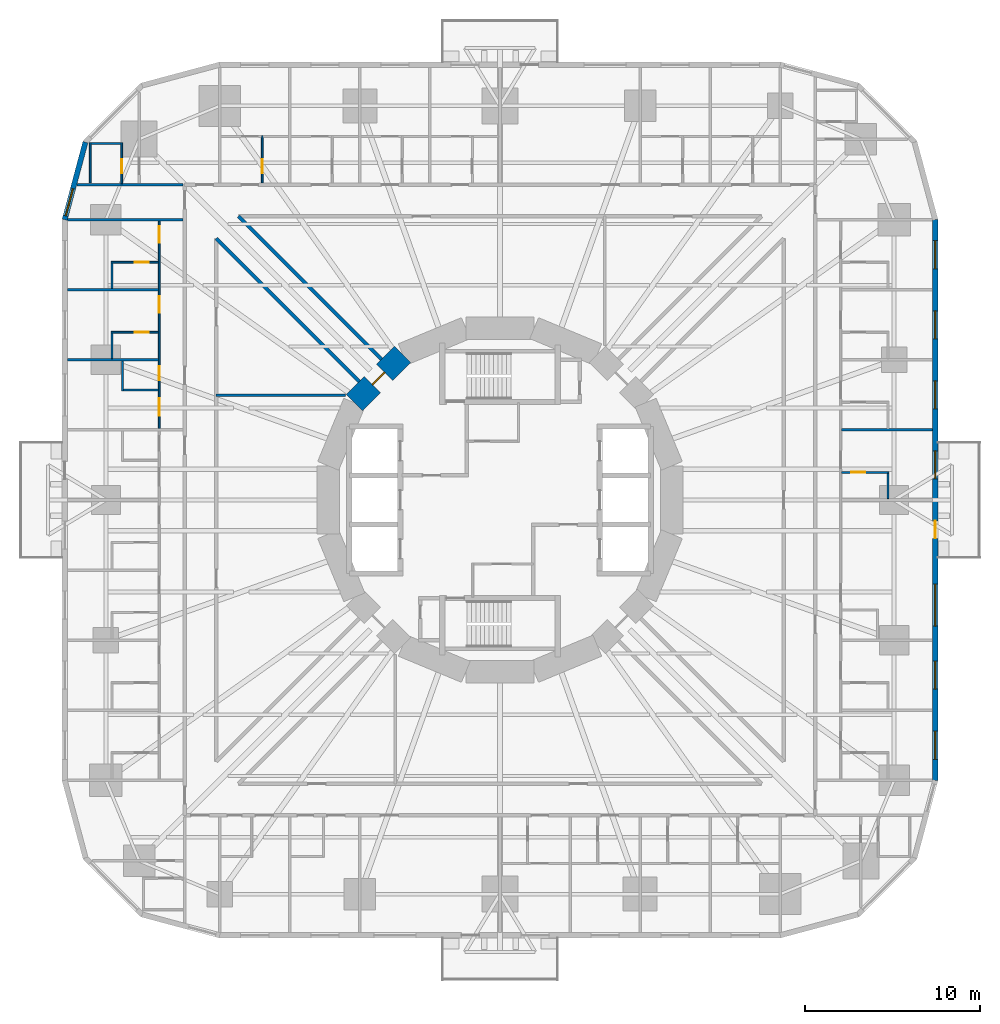
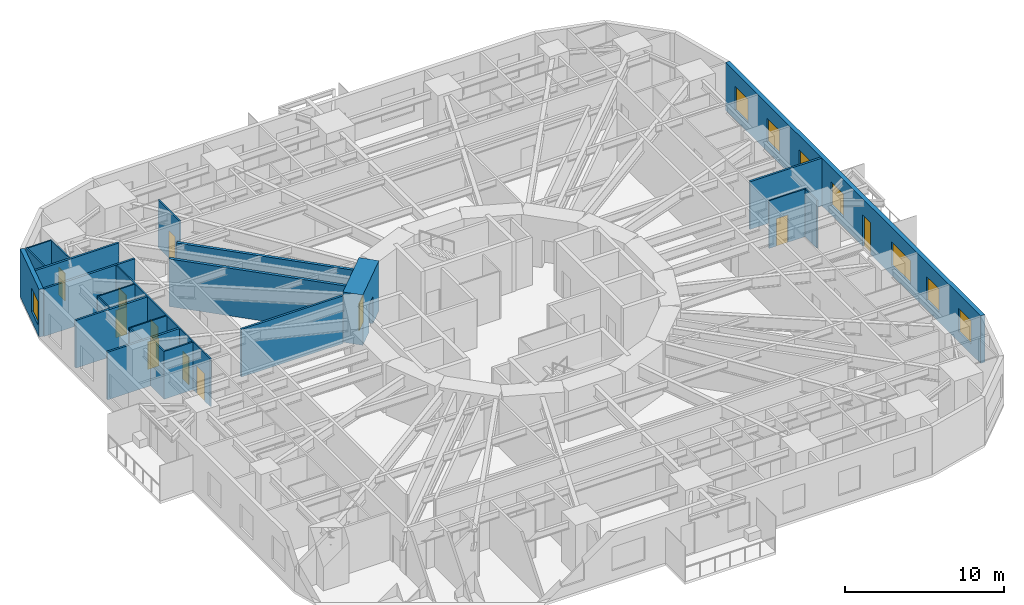
# One storey, part 9 of 14: 24 walls, 11 doors, 8 windows, 19 openings.
"""IFC4 building model written with IfcOpenShell, lengths in metres."""

from ifc_helpers import new_model, si_unit, direction, frame, frame_2d, origin, place, context, subcontext, project, spatial, rectangle, extrude, material, layer, layer_set, type_object, element, fill, save


model = new_model("IFC4")

# Units and contexts
model_context = context("Model", 3, precision=1e-05, world=origin(), true_north=direction((0.0, 1.0)))
body_context = subcontext(model_context, "Body", "Model", "MODEL_VIEW")
ifc_project = project(units=[si_unit("LENGTHUNIT", "METRE"), si_unit("AREAUNIT", "SQUARE_METRE"), si_unit("VOLUMEUNIT", "CUBIC_METRE"), si_unit("PLANEANGLEUNIT", "RADIAN"), si_unit("MASSUNIT", "GRAM", prefix="KILO")], contexts=[model_context])

# Site, building, storey
site_placement = place(None, origin())
site = spatial("IfcSite", under=ifc_project, at=site_placement, CompositionType="ELEMENT")
building_placement = place(site_placement, origin())
building = spatial("IfcBuilding", under=site, at=building_placement, Name="Nakasero Lantern House", CompositionType="ELEMENT")
storey_placement = place(building_placement, frame((0.0, 0.0, 23.699951171875)))
storey = spatial("IfcBuildingStorey", under=building, at=storey_placement, Name="L05", CompositionType="ELEMENT", Elevation=23.699951171875)

# Wall, openings, doors
ifc_material_1 = material(Name="Blockwork", Category="masonry")
ifc_layer_1 = layer(ifc_material_1, 0.10009765625)
ifc_layer_set_1 = layer_set([ifc_layer_1], Name="Cluster hall wall 100")
wall_type_1 = type_object("IfcWallType", Name="Cluster hall wall 100", PredefinedType="PARTITIONING", material=ifc_layer_set_1)
wall_1_placement = place(storey_placement, frame((-19.449951171875, 15.925048828125, 0.0), z_axis=(0.0, 0.0, 1.0), x_axis=(0.0, -1.0, 0.0)))
wall_1 = element("IfcWall", 1, at=wall_1_placement, inside=storey, type_object=wall_type_1, Name="Cluster hall wall L05 HW2-0", PredefinedType="PARTITIONING", context=body_context, shape_type="SweptSolid", body=[
    extrude(rectangle(XDim=11.85009765625, YDim=0.10009765625, at=frame_2d((5.925048828125, 0.0))), origin(), (0.0, 0.0, 1.0), 3.650146484375),
])
opening_1_placement = place(wall_1_placement, frame((10.125, 0.0, 0.0)))
opening_1 = element("IfcOpeningElement", 2, at=opening_1_placement, cuts=wall_1, Name="Opening D03", PredefinedType="OPENING", context=body_context, shape_type="SweptSolid", body=[
    extrude(rectangle(XDim=1.0, YDim=2.10009765625, at=frame_2d((0.5, 1.050048828125))), frame((0.0, 0.070068359375, 0.0), z_axis=(0.0, -1.0, 0.0), x_axis=(1.0, 0.0, 0.0)), (0.0, 0.0, 1.0), 0.14013671875),
])
opening_2_placement = place(wall_1_placement, frame((8.300048828125, 0.0, 0.0)))
opening_2 = element("IfcOpeningElement", 3, at=opening_2_placement, cuts=wall_1, Name="Opening D02", PredefinedType="OPENING", context=body_context, shape_type="SweptSolid", body=[
    extrude(rectangle(XDim=0.800048828125, YDim=2.10009765625, at=frame_2d((0.39990234375, 1.050048828125))), frame((0.0, 0.070068359375, 0.0), z_axis=(0.0, -1.0, 0.0), x_axis=(1.0, 0.0, 0.0)), (0.0, 0.0, 1.0), 0.14013671875),
])
opening_3_placement = place(wall_1_placement, frame((0.300048828125, 0.0, 0.0)))
opening_3 = element("IfcOpeningElement", 4, at=opening_3_placement, cuts=wall_1, Name="Opening D01", PredefinedType="OPENING", context=body_context, shape_type="SweptSolid", body=[
    extrude(rectangle(XDim=0.949951171875, YDim=2.10009765625, at=frame_2d((0.47509765625, 1.050048828125))), frame((0.0, 0.070068359375, 0.0), z_axis=(0.0, -1.0, 0.0), x_axis=(1.0, 0.0, 0.0)), (0.0, 0.0, 1.0), 0.14013671875),
])
opening_4_placement = place(wall_1_placement, frame((4.300048828125, 0.0, 0.0)))
opening_4 = element("IfcOpeningElement", 5, at=opening_4_placement, cuts=wall_1, Name="Opening D01", PredefinedType="OPENING", context=body_context, shape_type="SweptSolid", body=[
    extrude(rectangle(XDim=0.949951171875, YDim=2.10009765625, at=frame_2d((0.47509765625, 1.050048828125))), frame((0.0, 0.070068359375, 0.0), z_axis=(0.0, -1.0, 0.0), x_axis=(1.0, 0.0, 0.0)), (0.0, 0.0, 1.0), 0.14013671875),
])
ifc_material_2 = material(Name="Timber C24", Category="wood")
door_type_1 = type_object("IfcDoorType", Name="Bedroom door FD30S 950", OperationType="SINGLE_SWING_LEFT", PredefinedType="DOOR", material=ifc_material_2)
door_1_placement = place(opening_3_placement, origin())
door_1 = element("IfcDoor", 6, at=door_1_placement, inside=storey, type_object=door_type_1, Name="Door L05 D2-01", OperationType="SINGLE_SWING_LEFT", OverallHeight=2.10009765625, OverallWidth=0.949951171875, PredefinedType="DOOR", context=body_context, shape_type="SweptSolid", body=[
    extrude(rectangle(XDim=0.949951171875, YDim=2.10009765625, at=frame_2d((0.47509765625, 1.050048828125))), frame((0.0, 0.02490234375, 0.0), z_axis=(0.0, -1.0, 0.0), x_axis=(1.0, 0.0, 0.0)), (0.0, 0.0, 1.0), 0.050048828125),
])
fill(opening_3, door_1)
door_2_placement = place(opening_4_placement, origin())
door_2 = element("IfcDoor", 7, at=door_2_placement, inside=storey, type_object=door_type_1, Name="Door L05 D2-02", OperationType="SINGLE_SWING_LEFT", OverallHeight=2.10009765625, OverallWidth=0.949951171875, PredefinedType="DOOR", context=body_context, shape_type="SweptSolid", body=[
    extrude(rectangle(XDim=0.949951171875, YDim=2.10009765625, at=frame_2d((0.47509765625, 1.050048828125))), frame((0.0, 0.02490234375, 0.0), z_axis=(0.0, -1.0, 0.0), x_axis=(1.0, 0.0, 0.0)), (0.0, 0.0, 1.0), 0.050048828125),
])
fill(opening_4, door_2)
ifc_material_3 = material(Name="Timber C24", Category="wood")
door_type_2 = type_object("IfcDoorType", Name="En-suite door 800", OperationType="SINGLE_SWING_RIGHT", PredefinedType="DOOR", material=ifc_material_3)
door_3_placement = place(opening_2_placement, origin())
door_3 = element("IfcDoor", 8, at=door_3_placement, inside=storey, type_object=door_type_2, Name="Door L05 DSH2-0", OperationType="SINGLE_SWING_RIGHT", OverallHeight=2.10009765625, OverallWidth=0.800048828125, PredefinedType="DOOR", context=body_context, shape_type="SweptSolid", body=[
    extrude(rectangle(XDim=0.800048828125, YDim=2.10009765625, at=frame_2d((0.39990234375, 1.050048828125))), frame((0.0, 0.02490234375, 0.0), z_axis=(0.0, -1.0, 0.0), x_axis=(1.0, 0.0, 0.0)), (0.0, 0.0, 1.0), 0.050048828125),
])
fill(opening_2, door_3)
ifc_material_4 = material(Name="Timber C24", Category="wood")
door_type_3 = type_object("IfcDoorType", Name="Lounge door FD30S 1000", OperationType="SINGLE_SWING_LEFT", PredefinedType="DOOR", material=ifc_material_4)
door_4_placement = place(opening_1_placement, origin())
door_4 = element("IfcDoor", 9, at=door_4_placement, inside=storey, type_object=door_type_3, Name="Door L05 DH2-0", OperationType="SINGLE_SWING_RIGHT", OverallHeight=2.10009765625, OverallWidth=1.0, PredefinedType="DOOR", context=body_context, shape_type="SweptSolid", body=[
    extrude(rectangle(XDim=1.0, YDim=2.10009765625, at=frame_2d((0.5, 1.050048828125))), frame((0.0, 0.02490234375, 0.0), z_axis=(0.0, -1.0, 0.0), x_axis=(1.0, 0.0, 0.0)), (0.0, 0.0, 1.0), 0.050048828125),
])
fill(opening_1, door_4)

# Wall, opening, door
ifc_material_5 = material(Name="Concrete C50/60", Category="concrete")
ifc_layer_2 = layer(ifc_material_5, 1.300048828125)
ifc_layer_set_2 = layer_set([ifc_layer_2], Name="Core wall 1300")
wall_type_2 = type_object("IfcWallType", Name="Core wall 1300", PredefinedType="SHEAR", material=ifc_layer_set_2)
wall_2_placement = place(storey_placement, frame((-5.5556640625, 8.314697265625, 0.0), z_axis=(0.0, 0.0, 1.0), x_axis=(-0.707106781187, -0.707106781187, 0.0)))
wall_2 = element("IfcWall", 10, at=wall_2_placement, inside=storey, type_object=wall_type_2, Name="Core wall L05 facet 6", PredefinedType="SHEAR", context=body_context, shape_type="SweptSolid", body=[
    extrude(rectangle(XDim=3.90185546875, YDim=1.300048828125, at=frame_2d((1.950927734375, 0.0))), origin(), (0.0, 0.0, 1.0), 3.85009765625),
])
opening_5_placement = place(wall_2_placement, frame((1.450927734375, 0.0, 0.0)))
opening_5 = element("IfcOpeningElement", 11, at=opening_5_placement, cuts=wall_2, Name="Opening D05", PredefinedType="OPENING", context=body_context, shape_type="SweptSolid", body=[
    extrude(rectangle(XDim=1.0, YDim=2.10009765625, at=frame_2d((0.5, 1.050048828125))), frame((0.0, 0.669921875, 0.0), z_axis=(0.0, -1.0, 0.0), x_axis=(1.0, 0.0, 0.0)), (0.0, 0.0, 1.0), 1.340087890625),
])
ifc_material_6 = material(Name="Timber C24", Category="wood")
door_type_4 = type_object("IfcDoorType", Name="Core door FD60S 1000", OperationType="SINGLE_SWING_LEFT", PredefinedType="DOOR", material=ifc_material_6)
door_5_placement = place(opening_5_placement, origin())
door_5 = element("IfcDoor", 12, at=door_5_placement, inside=storey, type_object=door_type_4, Name="Door L05 D-CORE06", OperationType="SINGLE_SWING_LEFT", OverallHeight=2.10009765625, OverallWidth=1.0, PredefinedType="DOOR", context=body_context, shape_type="SweptSolid", body=[
    extrude(rectangle(XDim=1.0, YDim=2.10009765625, at=frame_2d((0.5, 1.050048828125))), frame((0.0, 0.02490234375, 0.0), z_axis=(0.0, -1.0, 0.0), x_axis=(1.0, 0.0, 0.0)), (0.0, 0.0, 1.0), 0.050048828125),
])
fill(opening_5, door_5)

# Walls
ifc_material_7 = material(Name="Blockwork", Category="masonry")
ifc_layer_3 = layer(ifc_material_7, 0.199951171875)
ifc_layer_set_3 = layer_set([ifc_layer_3], Name="Corridor wall 200")
wall_type_3 = type_object("IfcWallType", Name="Corridor wall 200", PredefinedType="PARTITIONING", material=ifc_layer_set_3)
for number, where, z_axis, x_axis, name in (
    (13, (-8.03125, 6.758544921875, 0.0), (0.0, 0.0, 1.0), (-0.707106781187, 0.707106781187, 0.0), "Corridor wall L05 PS06a"),
    (14, (-6.758544921875, 8.03125, 0.0), (0.0, 0.0, 1.0), (-0.707106781187, 0.707106781187, 0.0), "Corridor wall L05 PS06b"),
):
    element("IfcWall", number, at=place(storey_placement, frame(where, z_axis=z_axis, x_axis=x_axis)), inside=storey, type_object=wall_type_3, Name=name, PredefinedType="PARTITIONING", context=body_context, shape_type="SweptSolid", body=[
        extrude(rectangle(XDim=11.55224609375, YDim=0.199951171875, at=frame_2d((5.776123046875, 0.0))), origin(), (0.0, 0.0, 1.0), 3.650146484375),
    ])

# Wall, opening, door
ifc_material_8 = material(Name="Blockwork", Category="masonry")
ifc_layer_4 = layer(ifc_material_8, 0.10009765625)
ifc_layer_set_4 = layer_set([ifc_layer_4], Name="En-suite wall 100")
wall_type_4 = type_object("IfcWallType", Name="En-suite wall 100", PredefinedType="PARTITIONING", material=ifc_layer_set_4)
wall_3_placement = place(storey_placement, frame((19.5, 1.574951171875, 0.0), z_axis=(0.0, 0.0, 1.0), x_axis=(1.0, 0.0, 0.0)))
wall_3 = element("IfcWall", 15, at=wall_3_placement, inside=storey, type_object=wall_type_4, Name="En-suite wall L05 ES0-05", PredefinedType="PARTITIONING", context=body_context, shape_type="SweptSolid", body=[
    extrude(rectangle(XDim=2.699951171875, YDim=0.10009765625, at=frame_2d((1.35009765625, 0.0))), origin(), (0.0, 0.0, 1.0), 3.650146484375),
])
opening_6_placement = place(wall_3_placement, frame((0.550048828125, 0.0, 0.0)))
opening_6 = element("IfcOpeningElement", 16, at=opening_6_placement, cuts=wall_3, Name="Opening D02", PredefinedType="OPENING", context=body_context, shape_type="SweptSolid", body=[
    extrude(rectangle(XDim=0.800048828125, YDim=2.10009765625, at=frame_2d((0.39990234375, 1.050048828125))), frame((0.0, 0.070068359375, 0.0), z_axis=(0.0, -1.0, 0.0), x_axis=(1.0, 0.0, 0.0)), (0.0, 0.0, 1.0), 0.14013671875),
])
door_6_placement = place(opening_6_placement, origin())
door_6 = element("IfcDoor", 17, at=door_6_placement, inside=storey, type_object=door_type_2, Name="Door L05 DE0-05", OperationType="SINGLE_SWING_LEFT", OverallHeight=2.10009765625, OverallWidth=0.800048828125, PredefinedType="DOOR", context=body_context, shape_type="SweptSolid", body=[
    extrude(rectangle(XDim=0.800048828125, YDim=2.10009765625, at=frame_2d((0.39990234375, 1.050048828125))), frame((0.0, 0.02490234375, 0.0), z_axis=(0.0, -1.0, 0.0), x_axis=(1.0, 0.0, 0.0)), (0.0, 0.0, 1.0), 0.050048828125),
])
fill(opening_6, door_6)

# Wall
wall_4_placement = place(storey_placement, frame((22.14990234375, 0.074951171875, 0.0), z_axis=(0.0, 0.0, 1.0), x_axis=(0.0, 1.0, 0.0)))
element("IfcWall", 18, at=wall_4_placement, inside=storey, type_object=wall_type_4, Name="En-suite wall L05 EE0-05", PredefinedType="PARTITIONING", context=body_context, shape_type="SweptSolid", body=[
    extrude(rectangle(XDim=1.449951171875, YDim=0.10009765625, at=frame_2d((0.72509765625, 0.0))), origin(), (0.0, 0.0, 1.0), 3.650146484375),
])

# Wall, opening, door
wall_5_placement = place(storey_placement, frame((-13.574951171875, 18.10009765625, 0.0), z_axis=(0.0, 0.0, 1.0), x_axis=(0.0, 1.0, 0.0)))
wall_5 = element("IfcWall", 19, at=wall_5_placement, inside=storey, type_object=wall_type_4, Name="En-suite wall L05 ES1-08", PredefinedType="PARTITIONING", context=body_context, shape_type="SweptSolid", body=[
    extrude(rectangle(XDim=2.699951171875, YDim=0.10009765625, at=frame_2d((1.35009765625, 0.0))), origin(), (0.0, 0.0, 1.0), 3.650146484375),
])
opening_7_placement = place(wall_5_placement, frame((0.550048828125, 0.0, 0.0)))
opening_7 = element("IfcOpeningElement", 20, at=opening_7_placement, cuts=wall_5, Name="Opening D02", PredefinedType="OPENING", context=body_context, shape_type="SweptSolid", body=[
    extrude(rectangle(XDim=0.800048828125, YDim=2.10009765625, at=frame_2d((0.39990234375, 1.050048828125))), frame((0.0, 0.070068359375, 0.0), z_axis=(0.0, -1.0, 0.0), x_axis=(1.0, 0.0, 0.0)), (0.0, 0.0, 1.0), 0.14013671875),
])
door_7_placement = place(opening_7_placement, origin())
door_7 = element("IfcDoor", 21, at=door_7_placement, inside=storey, type_object=door_type_2, Name="Door L05 DE1-08", OperationType="SINGLE_SWING_LEFT", OverallHeight=2.10009765625, OverallWidth=0.800048828125, PredefinedType="DOOR", context=body_context, shape_type="SweptSolid", body=[
    extrude(rectangle(XDim=0.800048828125, YDim=2.10009765625, at=frame_2d((0.39990234375, 1.050048828125))), frame((0.0, 0.02490234375, 0.0), z_axis=(0.0, -1.0, 0.0), x_axis=(1.0, 0.0, 0.0)), (0.0, 0.0, 1.0), 0.050048828125),
])
fill(opening_7, door_7)

wall_6_placement = place(storey_placement, frame((-21.59619140625, 18.06494140625, 0.0), z_axis=(0.0, 0.0, 1.0), x_axis=(0.0, 1.0, 0.0)))
wall_6 = element("IfcWall", 22, at=wall_6_placement, inside=storey, type_object=wall_type_4, Name="En-suite wall L05 ES1-09", PredefinedType="PARTITIONING", context=body_context, shape_type="SweptSolid", body=[
    extrude(rectangle(XDim=2.3349609375, YDim=0.10009765625, at=frame_2d((1.16748046875, 0.0))), origin(), (0.0, 0.0, 1.0), 3.650146484375),
])
opening_8_placement = place(wall_6_placement, frame((0.5849609375, 0.0, 0.0)))
opening_8 = element("IfcOpeningElement", 23, at=opening_8_placement, cuts=wall_6, Name="Opening D02", PredefinedType="OPENING", context=body_context, shape_type="SweptSolid", body=[
    extrude(rectangle(XDim=0.800048828125, YDim=2.10009765625, at=frame_2d((0.39990234375, 1.050048828125))), frame((0.0, 0.070068359375, 0.0), z_axis=(0.0, -1.0, 0.0), x_axis=(1.0, 0.0, 0.0)), (0.0, 0.0, 1.0), 0.14013671875),
])
door_8_placement = place(opening_8_placement, origin())
door_8 = element("IfcDoor", 24, at=door_8_placement, inside=storey, type_object=door_type_2, Name="Door L05 DE1-09", OperationType="SINGLE_SWING_LEFT", OverallHeight=2.10009765625, OverallWidth=0.800048828125, PredefinedType="DOOR", context=body_context, shape_type="SweptSolid", body=[
    extrude(rectangle(XDim=0.800048828125, YDim=2.10009765625, at=frame_2d((0.39990234375, 1.050048828125))), frame((0.0, 0.02490234375, 0.0), z_axis=(0.0, -1.0, 0.0), x_axis=(1.0, 0.0, 0.0)), (0.0, 0.0, 1.0), 0.050048828125),
])
fill(opening_8, door_8)

# Walls
wall_7_placement = place(storey_placement, frame((-21.646240234375, 20.35009765625, 0.0), z_axis=(0.0, 0.0, 1.0), x_axis=(-1.0, 0.0, 0.0)))
element("IfcWall", 25, at=wall_7_placement, inside=storey, type_object=wall_type_4, Name="En-suite wall L05 EE1-09", PredefinedType="PARTITIONING", context=body_context, shape_type="SweptSolid", body=[
    extrude(rectangle(XDim=1.699951171875, YDim=0.10009765625, at=frame_2d((0.85009765625, 0.0))), origin(), (0.0, 0.0, 1.0), 3.650146484375),
])
wall_8_placement = place(storey_placement, frame((-23.396240234375, 18.10009765625, 0.0), z_axis=(0.0, 0.0, 1.0), x_axis=(0.0, 1.0, 0.0)))
element("IfcWall", 26, at=wall_8_placement, inside=storey, type_object=wall_type_4, Name="En-suite wall L05 EV1-09", PredefinedType="PARTITIONING", context=body_context, shape_type="SweptSolid", body=[
    extrude(rectangle(XDim=2.2998046875, YDim=0.10009765625, at=frame_2d((1.14990234375, 0.0))), origin(), (0.0, 0.0, 1.0), 3.650146484375),
])
wall_9_placement = place(storey_placement, frame((-19.5, 6.27490234375, 0.0), z_axis=(0.0, 0.0, 1.0), x_axis=(-1.0, 0.0, 0.0)))
element("IfcWall", 27, at=wall_9_placement, inside=storey, type_object=wall_type_4, Name="En-suite wall L05 SS2-0", PredefinedType="PARTITIONING", context=body_context, shape_type="SweptSolid", body=[
    extrude(rectangle(XDim=2.10009765625, YDim=0.10009765625, at=frame_2d((1.050048828125, 0.0))), origin(), (0.0, 0.0, 1.0), 3.650146484375),
])
wall_10_placement = place(storey_placement, frame((-21.550048828125, 7.925048828125, 0.0), z_axis=(0.0, 0.0, 1.0), x_axis=(0.0, -1.0, 0.0)))
element("IfcWall", 28, at=wall_10_placement, inside=storey, type_object=wall_type_4, Name="En-suite wall L05 SE2-0", PredefinedType="PARTITIONING", context=body_context, shape_type="SweptSolid", body=[
    extrude(rectangle(XDim=1.699951171875, YDim=0.10009765625, at=frame_2d((0.85009765625, 0.0))), origin(), (0.0, 0.0, 1.0), 3.650146484375),
])

# Wall, opening, door
wall_11_placement = place(storey_placement, frame((-19.5, 13.574951171875, 0.0), z_axis=(0.0, 0.0, 1.0), x_axis=(-1.0, 0.0, 0.0)))
wall_11 = element("IfcWall", 29, at=wall_11_placement, inside=storey, type_object=wall_type_4, Name="En-suite wall L05 ES2-01", PredefinedType="PARTITIONING", context=body_context, shape_type="SweptSolid", body=[
    extrude(rectangle(XDim=2.699951171875, YDim=0.10009765625, at=frame_2d((1.35009765625, 0.0))), origin(), (0.0, 0.0, 1.0), 3.650146484375),
])
opening_9_placement = place(wall_11_placement, frame((0.550048828125, 0.0, 0.0)))
opening_9 = element("IfcOpeningElement", 30, at=opening_9_placement, cuts=wall_11, Name="Opening D02", PredefinedType="OPENING", context=body_context, shape_type="SweptSolid", body=[
    extrude(rectangle(XDim=0.800048828125, YDim=2.10009765625, at=frame_2d((0.39990234375, 1.050048828125))), frame((0.0, 0.070068359375, 0.0), z_axis=(0.0, -1.0, 0.0), x_axis=(1.0, 0.0, 0.0)), (0.0, 0.0, 1.0), 0.14013671875),
])
door_9_placement = place(opening_9_placement, origin())
door_9 = element("IfcDoor", 31, at=door_9_placement, inside=storey, type_object=door_type_2, Name="Door L05 DE2-01", OperationType="SINGLE_SWING_LEFT", OverallHeight=2.10009765625, OverallWidth=0.800048828125, PredefinedType="DOOR", context=body_context, shape_type="SweptSolid", body=[
    extrude(rectangle(XDim=0.800048828125, YDim=2.10009765625, at=frame_2d((0.39990234375, 1.050048828125))), frame((0.0, 0.02490234375, 0.0), z_axis=(0.0, -1.0, 0.0), x_axis=(1.0, 0.0, 0.0)), (0.0, 0.0, 1.0), 0.050048828125),
])
fill(opening_9, door_9)

# Wall
wall_12_placement = place(storey_placement, frame((-22.14990234375, 13.52490234375, 0.0), z_axis=(0.0, 0.0, 1.0), x_axis=(0.0, -1.0, 0.0)))
element("IfcWall", 32, at=wall_12_placement, inside=storey, type_object=wall_type_4, Name="En-suite wall L05 EE2-01", PredefinedType="PARTITIONING", context=body_context, shape_type="SweptSolid", body=[
    extrude(rectangle(XDim=1.449951171875, YDim=0.10009765625, at=frame_2d((0.72509765625, 0.0))), origin(), (0.0, 0.0, 1.0), 3.650146484375),
])

# Wall, opening, door
wall_13_placement = place(storey_placement, frame((-19.5, 9.574951171875, 0.0), z_axis=(0.0, 0.0, 1.0), x_axis=(-1.0, 0.0, 0.0)))
wall_13 = element("IfcWall", 33, at=wall_13_placement, inside=storey, type_object=wall_type_4, Name="En-suite wall L05 ES2-02", PredefinedType="PARTITIONING", context=body_context, shape_type="SweptSolid", body=[
    extrude(rectangle(XDim=2.699951171875, YDim=0.10009765625, at=frame_2d((1.35009765625, 0.0))), origin(), (0.0, 0.0, 1.0), 3.650146484375),
])
opening_10_placement = place(wall_13_placement, frame((0.550048828125, 0.0, 0.0)))
opening_10 = element("IfcOpeningElement", 34, at=opening_10_placement, cuts=wall_13, Name="Opening D02", PredefinedType="OPENING", context=body_context, shape_type="SweptSolid", body=[
    extrude(rectangle(XDim=0.800048828125, YDim=2.10009765625, at=frame_2d((0.39990234375, 1.050048828125))), frame((0.0, 0.070068359375, 0.0), z_axis=(0.0, -1.0, 0.0), x_axis=(1.0, 0.0, 0.0)), (0.0, 0.0, 1.0), 0.14013671875),
])
door_10_placement = place(opening_10_placement, origin())
door_10 = element("IfcDoor", 35, at=door_10_placement, inside=storey, type_object=door_type_2, Name="Door L05 DE2-02", OperationType="SINGLE_SWING_LEFT", OverallHeight=2.10009765625, OverallWidth=0.800048828125, PredefinedType="DOOR", context=body_context, shape_type="SweptSolid", body=[
    extrude(rectangle(XDim=0.800048828125, YDim=2.10009765625, at=frame_2d((0.39990234375, 1.050048828125))), frame((0.0, 0.02490234375, 0.0), z_axis=(0.0, -1.0, 0.0), x_axis=(1.0, 0.0, 0.0)), (0.0, 0.0, 1.0), 0.050048828125),
])
fill(opening_10, door_10)

# Wall
wall_14_placement = place(storey_placement, frame((-22.14990234375, 9.52490234375, 0.0), z_axis=(0.0, 0.0, 1.0), x_axis=(0.0, -1.0, 0.0)))
element("IfcWall", 36, at=wall_14_placement, inside=storey, type_object=wall_type_4, Name="En-suite wall L05 EE2-02", PredefinedType="PARTITIONING", context=body_context, shape_type="SweptSolid", body=[
    extrude(rectangle(XDim=1.449951171875, YDim=0.10009765625, at=frame_2d((0.72509765625, 0.0))), origin(), (0.0, 0.0, 1.0), 3.650146484375),
])

# Wall, openings, door, windows
ifc_material_9 = material(Name="Aluminium rainscreen on blockwork", Category="masonry")
ifc_layer_5 = layer(ifc_material_9, 0.300048828125)
ifc_layer_set_5 = layer_set([ifc_layer_5], Name="Facade wall 300")
wall_type_5 = type_object("IfcWallType", Name="Facade wall 300", PredefinedType="SOLIDWALL", material=ifc_layer_set_5)
wall_15_placement = place(storey_placement, frame((24.85009765625, -16.0, 0.0), z_axis=(0.0, 0.0, 1.0), x_axis=(0.0, 1.0, 0.0)))
wall_15 = element("IfcWall", 37, at=wall_15_placement, inside=storey, type_object=wall_type_5, Name="Facade wall L05 FW0S", PredefinedType="SOLIDWALL", context=body_context, shape_type="SweptSolid", body=[
    extrude(rectangle(XDim=32.0, YDim=0.300048828125, at=frame_2d((16.0, 0.0))), origin(), (0.0, 0.0, 1.0), 3.650146484375),
])
opening_11_placement = place(wall_15_placement, frame((1.199951171875, 0.0, 0.75)))
opening_11 = element("IfcOpeningElement", 38, at=opening_11_placement, cuts=wall_15, Name="Opening W01", PredefinedType="OPENING", context=body_context, shape_type="SweptSolid", body=[
    extrude(rectangle(XDim=1.60009765625, YDim=1.800048828125, at=frame_2d((0.800048828125, 0.89990234375))), frame((0.0, 0.169921875, 0.0), z_axis=(0.0, -1.0, 0.0), x_axis=(1.0, 0.0, 0.0)), (0.0, 0.0, 1.0), 0.340087890625),
])
opening_12_placement = place(wall_15_placement, frame((5.199951171875, 0.0, 0.75)))
opening_12 = element("IfcOpeningElement", 39, at=opening_12_placement, cuts=wall_15, Name="Opening W01", PredefinedType="OPENING", context=body_context, shape_type="SweptSolid", body=[
    extrude(rectangle(XDim=1.60009765625, YDim=1.800048828125, at=frame_2d((0.800048828125, 0.89990234375))), frame((0.0, 0.169921875, 0.0), z_axis=(0.0, -1.0, 0.0), x_axis=(1.0, 0.0, 0.0)), (0.0, 0.0, 1.0), 0.340087890625),
])
opening_13_placement = place(wall_15_placement, frame((17.199951171875, 0.0, 0.75)))
opening_13 = element("IfcOpeningElement", 40, at=opening_13_placement, cuts=wall_15, Name="Opening W01", PredefinedType="OPENING", context=body_context, shape_type="SweptSolid", body=[
    extrude(rectangle(XDim=1.60009765625, YDim=1.800048828125, at=frame_2d((0.800048828125, 0.89990234375))), frame((0.0, 0.169921875, 0.0), z_axis=(0.0, -1.0, 0.0), x_axis=(1.0, 0.0, 0.0)), (0.0, 0.0, 1.0), 0.340087890625),
])
opening_14_placement = place(wall_15_placement, frame((21.199951171875, 0.0, 0.75)))
opening_14 = element("IfcOpeningElement", 41, at=opening_14_placement, cuts=wall_15, Name="Opening W01", PredefinedType="OPENING", context=body_context, shape_type="SweptSolid", body=[
    extrude(rectangle(XDim=1.60009765625, YDim=1.800048828125, at=frame_2d((0.800048828125, 0.89990234375))), frame((0.0, 0.169921875, 0.0), z_axis=(0.0, -1.0, 0.0), x_axis=(1.0, 0.0, 0.0)), (0.0, 0.0, 1.0), 0.340087890625),
])
opening_15_placement = place(wall_15_placement, frame((25.199951171875, 0.0, 0.75)))
opening_15 = element("IfcOpeningElement", 42, at=opening_15_placement, cuts=wall_15, Name="Opening W01", PredefinedType="OPENING", context=body_context, shape_type="SweptSolid", body=[
    extrude(rectangle(XDim=1.60009765625, YDim=1.800048828125, at=frame_2d((0.800048828125, 0.89990234375))), frame((0.0, 0.169921875, 0.0), z_axis=(0.0, -1.0, 0.0), x_axis=(1.0, 0.0, 0.0)), (0.0, 0.0, 1.0), 0.340087890625),
])
opening_16_placement = place(wall_15_placement, frame((29.199951171875, 0.0, 0.75)))
opening_16 = element("IfcOpeningElement", 43, at=opening_16_placement, cuts=wall_15, Name="Opening W01", PredefinedType="OPENING", context=body_context, shape_type="SweptSolid", body=[
    extrude(rectangle(XDim=1.60009765625, YDim=1.800048828125, at=frame_2d((0.800048828125, 0.89990234375))), frame((0.0, 0.169921875, 0.0), z_axis=(0.0, -1.0, 0.0), x_axis=(1.0, 0.0, 0.0)), (0.0, 0.0, 1.0), 0.340087890625),
])
opening_17_placement = place(wall_15_placement, frame((8.800048828125, 0.0, 0.75)))
opening_17 = element("IfcOpeningElement", 44, at=opening_17_placement, cuts=wall_15, Name="Opening W03", PredefinedType="OPENING", context=body_context, shape_type="SweptSolid", body=[
    extrude(rectangle(XDim=2.39990234375, YDim=1.800048828125, at=frame_2d((1.199951171875, 0.89990234375))), frame((0.0, 0.169921875, 0.0), z_axis=(0.0, -1.0, 0.0), x_axis=(1.0, 0.0, 0.0)), (0.0, 0.0, 1.0), 0.340087890625),
])
opening_18_placement = place(wall_15_placement, frame((13.8125, 0.0, 0.0)))
opening_18 = element("IfcOpeningElement", 45, at=opening_18_placement, cuts=wall_15, Name="Opening D04", PredefinedType="OPENING", context=body_context, shape_type="SweptSolid", body=[
    extrude(rectangle(XDim=1.0, YDim=2.39990234375, at=frame_2d((0.5, 1.199951171875))), frame((0.0, 0.169921875, 0.0), z_axis=(0.0, -1.0, 0.0), x_axis=(1.0, 0.0, 0.0)), (0.0, 0.0, 1.0), 0.340087890625),
])
ifc_material_10 = material(Name="Aluminium 6063-T6 and glass", Category="aluminium")
door_type_5 = type_object("IfcDoorType", Name="Balcony door 1000x2400", OperationType="SINGLE_SWING_RIGHT", PredefinedType="DOOR", material=ifc_material_10)
door_11_placement = place(opening_18_placement, origin())
door_11 = element("IfcDoor", 46, at=door_11_placement, inside=storey, type_object=door_type_5, Name="Balcony door L05 DB0", OperationType="SINGLE_SWING_RIGHT", OverallHeight=2.39990234375, OverallWidth=1.0, PredefinedType="DOOR", context=body_context, shape_type="SweptSolid", body=[
    extrude(rectangle(XDim=1.0, YDim=2.39990234375, at=frame_2d((0.5, 1.199951171875))), frame((0.0, 0.02490234375, 0.0), z_axis=(0.0, -1.0, 0.0), x_axis=(1.0, 0.0, 0.0)), (0.0, 0.0, 1.0), 0.050048828125),
])
fill(opening_18, door_11)
ifc_material_11 = material(Name="Aluminium 6063-T6 and glass", Category="aluminium")
window_type_1 = type_object("IfcWindowType", Name="Bedroom window 1600x1800", PartitioningType="SINGLE_PANEL", PredefinedType="WINDOW", material=ifc_material_11)
window_1_placement = place(opening_11_placement, origin())
window_1 = element("IfcWindow", 47, at=window_1_placement, inside=storey, type_object=window_type_1, Name="Window L05 WN0-01", OverallHeight=1.800048828125, OverallWidth=1.60009765625, PartitioningType="SINGLE_PANEL", PredefinedType="WINDOW", context=body_context, shape_type="SweptSolid", body=[
    extrude(rectangle(XDim=1.60009765625, YDim=1.800048828125, at=frame_2d((0.800048828125, 0.89990234375))), frame((0.0, 0.030029296875, 0.0), z_axis=(0.0, -1.0, 0.0), x_axis=(1.0, 0.0, 0.0)), (0.0, 0.0, 1.0), 0.06005859375),
])
fill(opening_11, window_1)
window_2_placement = place(opening_12_placement, origin())
window_2 = element("IfcWindow", 48, at=window_2_placement, inside=storey, type_object=window_type_1, Name="Window L05 WN0-02", OverallHeight=1.800048828125, OverallWidth=1.60009765625, PartitioningType="SINGLE_PANEL", PredefinedType="WINDOW", context=body_context, shape_type="SweptSolid", body=[
    extrude(rectangle(XDim=1.60009765625, YDim=1.800048828125, at=frame_2d((0.800048828125, 0.89990234375))), frame((0.0, 0.030029296875, 0.0), z_axis=(0.0, -1.0, 0.0), x_axis=(1.0, 0.0, 0.0)), (0.0, 0.0, 1.0), 0.06005859375),
])
fill(opening_12, window_2)
window_3_placement = place(opening_13_placement, origin())
window_3 = element("IfcWindow", 49, at=window_3_placement, inside=storey, type_object=window_type_1, Name="Window L05 WN0-05", OverallHeight=1.800048828125, OverallWidth=1.60009765625, PartitioningType="SINGLE_PANEL", PredefinedType="WINDOW", context=body_context, shape_type="SweptSolid", body=[
    extrude(rectangle(XDim=1.60009765625, YDim=1.800048828125, at=frame_2d((0.800048828125, 0.89990234375))), frame((0.0, 0.030029296875, 0.0), z_axis=(0.0, -1.0, 0.0), x_axis=(1.0, 0.0, 0.0)), (0.0, 0.0, 1.0), 0.06005859375),
])
fill(opening_13, window_3)
window_4_placement = place(opening_14_placement, origin())
window_4 = element("IfcWindow", 50, at=window_4_placement, inside=storey, type_object=window_type_1, Name="Window L05 WN0-06", OverallHeight=1.800048828125, OverallWidth=1.60009765625, PartitioningType="SINGLE_PANEL", PredefinedType="WINDOW", context=body_context, shape_type="SweptSolid", body=[
    extrude(rectangle(XDim=1.60009765625, YDim=1.800048828125, at=frame_2d((0.800048828125, 0.89990234375))), frame((0.0, 0.030029296875, 0.0), z_axis=(0.0, -1.0, 0.0), x_axis=(1.0, 0.0, 0.0)), (0.0, 0.0, 1.0), 0.06005859375),
])
fill(opening_14, window_4)
window_5_placement = place(opening_15_placement, origin())
window_5 = element("IfcWindow", 51, at=window_5_placement, inside=storey, type_object=window_type_1, Name="Window L05 WN0-07", OverallHeight=1.800048828125, OverallWidth=1.60009765625, PartitioningType="SINGLE_PANEL", PredefinedType="WINDOW", context=body_context, shape_type="SweptSolid", body=[
    extrude(rectangle(XDim=1.60009765625, YDim=1.800048828125, at=frame_2d((0.800048828125, 0.89990234375))), frame((0.0, 0.030029296875, 0.0), z_axis=(0.0, -1.0, 0.0), x_axis=(1.0, 0.0, 0.0)), (0.0, 0.0, 1.0), 0.06005859375),
])
fill(opening_15, window_5)
window_6_placement = place(opening_16_placement, origin())
window_6 = element("IfcWindow", 52, at=window_6_placement, inside=storey, type_object=window_type_1, Name="Window L05 WN0-08", OverallHeight=1.800048828125, OverallWidth=1.60009765625, PartitioningType="SINGLE_PANEL", PredefinedType="WINDOW", context=body_context, shape_type="SweptSolid", body=[
    extrude(rectangle(XDim=1.60009765625, YDim=1.800048828125, at=frame_2d((0.800048828125, 0.89990234375))), frame((0.0, 0.030029296875, 0.0), z_axis=(0.0, -1.0, 0.0), x_axis=(1.0, 0.0, 0.0)), (0.0, 0.0, 1.0), 0.06005859375),
])
fill(opening_16, window_6)
ifc_material_12 = material(Name="Aluminium 6063-T6 and glass", Category="aluminium")
window_type_2 = type_object("IfcWindowType", Name="Lounge window 2400x1800", PartitioningType="SINGLE_PANEL", PredefinedType="WINDOW", material=ifc_material_12)
window_7_placement = place(opening_17_placement, origin())
window_7 = element("IfcWindow", 53, at=window_7_placement, inside=storey, type_object=window_type_2, Name="Window L05 WK0", OverallHeight=1.800048828125, OverallWidth=2.39990234375, PartitioningType="SINGLE_PANEL", PredefinedType="WINDOW", context=body_context, shape_type="SweptSolid", body=[
    extrude(rectangle(XDim=2.39990234375, YDim=1.800048828125, at=frame_2d((1.199951171875, 0.89990234375))), frame((0.0, 0.030029296875, 0.0), z_axis=(0.0, -1.0, 0.0), x_axis=(1.0, 0.0, 0.0)), (0.0, 0.0, 1.0), 0.06005859375),
])
fill(opening_17, window_7)

# Wall, opening, window
wall_16_placement = place(storey_placement, frame((-23.664306640625, 20.425048828125, 0.0), z_axis=(0.0, 0.0, 1.0), x_axis=(-0.258839972501, -0.965920218567, 0.0)))
wall_16 = element("IfcWall", 54, at=wall_16_placement, inside=storey, type_object=wall_type_5, Name="Facade wall L05 FW1C3", PredefinedType="SOLIDWALL", context=body_context, shape_type="SweptSolid", body=[
    extrude(rectangle(XDim=4.5810546875, YDim=0.300048828125, at=frame_2d((2.29052734375, 0.0))), origin(), (0.0, 0.0, 1.0), 3.650146484375),
])
opening_19_placement = place(wall_16_placement, frame((2.74609375, 0.0, 0.75)))
opening_19 = element("IfcOpeningElement", 55, at=opening_19_placement, cuts=wall_16, Name="Opening W01", PredefinedType="OPENING", context=body_context, shape_type="SweptSolid", body=[
    extrude(rectangle(XDim=1.60009765625, YDim=1.800048828125, at=frame_2d((0.800048828125, 0.89990234375))), frame((0.0, 0.169921875, 0.0), z_axis=(0.0, -1.0, 0.0), x_axis=(1.0, 0.0, 0.0)), (0.0, 0.0, 1.0), 0.340087890625),
])
window_8_placement = place(opening_19_placement, origin())
window_8 = element("IfcWindow", 56, at=window_8_placement, inside=storey, type_object=window_type_1, Name="Window L05 WN2-00", OverallHeight=1.800048828125, OverallWidth=1.60009765625, PartitioningType="SINGLE_PANEL", PredefinedType="WINDOW", context=body_context, shape_type="SweptSolid", body=[
    extrude(rectangle(XDim=1.60009765625, YDim=1.800048828125, at=frame_2d((0.800048828125, 0.89990234375))), frame((0.0, 0.030029296875, 0.0), z_axis=(0.0, -1.0, 0.0), x_axis=(1.0, 0.0, 0.0)), (0.0, 0.0, 1.0), 0.06005859375),
])
fill(opening_19, window_8)

# Walls
ifc_material_13 = material(Name="Blockwork", Category="masonry")
ifc_layer_6 = layer(ifc_material_13, 0.14990234375)
ifc_layer_set_6 = layer_set([ifc_layer_6], Name="Party wall 150")
wall_type_6 = type_object("IfcWallType", Name="Party wall 150", PredefinedType="PARTITIONING", material=ifc_layer_set_6)
wall_17_placement = place(storey_placement, frame((19.5, 4.0, 0.0), z_axis=(0.0, 0.0, 1.0), x_axis=(1.0, 0.0, 0.0)))
element("IfcWall", 57, at=wall_17_placement, inside=storey, type_object=wall_type_6, Name="Party wall L05 PW0-06", PredefinedType="PARTITIONING", context=body_context, shape_type="SweptSolid", body=[
    extrude(rectangle(XDim=5.199951171875, YDim=0.14990234375, at=frame_2d((2.60009765625, 0.0))), origin(), (0.0, 0.0, 1.0), 3.650146484375),
])
wall_18_placement = place(storey_placement, frame((-18.10009765625, 18.0, 0.0), z_axis=(0.0, 0.0, 1.0), x_axis=(-1.0, 0.0, 0.0)))
element("IfcWall", 58, at=wall_18_placement, inside=storey, type_object=wall_type_6, Name="Party wall L05 PW2-00", PredefinedType="PARTITIONING", context=body_context, shape_type="SweptSolid", body=[
    extrude(rectangle(XDim=6.053466796875, YDim=0.14990234375, at=frame_2d((3.02685546875, 0.0))), origin(), (0.0, 0.0, 1.0), 3.650146484375),
])
wall_19_placement = place(storey_placement, frame((-18.10009765625, 16.0, 0.0), z_axis=(0.0, 0.0, 1.0), x_axis=(-1.0, 0.0, 0.0)))
element("IfcWall", 59, at=wall_19_placement, inside=storey, type_object=wall_type_6, Name="Party wall L05 PW2-01", PredefinedType="PARTITIONING", context=body_context, shape_type="SweptSolid", body=[
    extrude(rectangle(XDim=6.58935546875, YDim=0.14990234375, at=frame_2d((3.294677734375, 0.0))), origin(), (0.0, 0.0, 1.0), 3.650146484375),
])
for number, where, z_axis, x_axis, name in (
    (60, (-19.5, 12.0, 0.0), (0.0, 0.0, 1.0), (-1.0, 0.0, 0.0), "Party wall L05 PW2-02"),
    (61, (-19.5, 8.0, 0.0), (0.0, 0.0, 1.0), (-1.0, 0.0, 0.0), "Party wall L05 PW2-03"),
):
    element("IfcWall", number, at=place(storey_placement, frame(where, z_axis=z_axis, x_axis=x_axis)), inside=storey, type_object=wall_type_6, Name=name, PredefinedType="PARTITIONING", context=body_context, shape_type="SweptSolid", body=[
        extrude(rectangle(XDim=5.199951171875, YDim=0.14990234375, at=frame_2d((2.60009765625, 0.0))), origin(), (0.0, 0.0, 1.0), 3.650146484375),
    ])
wall_20_placement = place(storey_placement, frame((-8.81884765625, 5.970947265625, 0.0), z_axis=(0.0, 0.0, 1.0), x_axis=(-1.0, 0.0, 0.0)))
element("IfcWall", 62, at=wall_20_placement, inside=storey, type_object=wall_type_6, Name="Party wall L05 IS4", PredefinedType="PARTITIONING", context=body_context, shape_type="SweptSolid", body=[
    extrude(rectangle(XDim=7.381103515625, YDim=0.14990234375, at=frame_2d((3.6904296875, 0.0))), origin(), (0.0, 0.0, 1.0), 3.650146484375),
])

save(model, "model.ifc")
